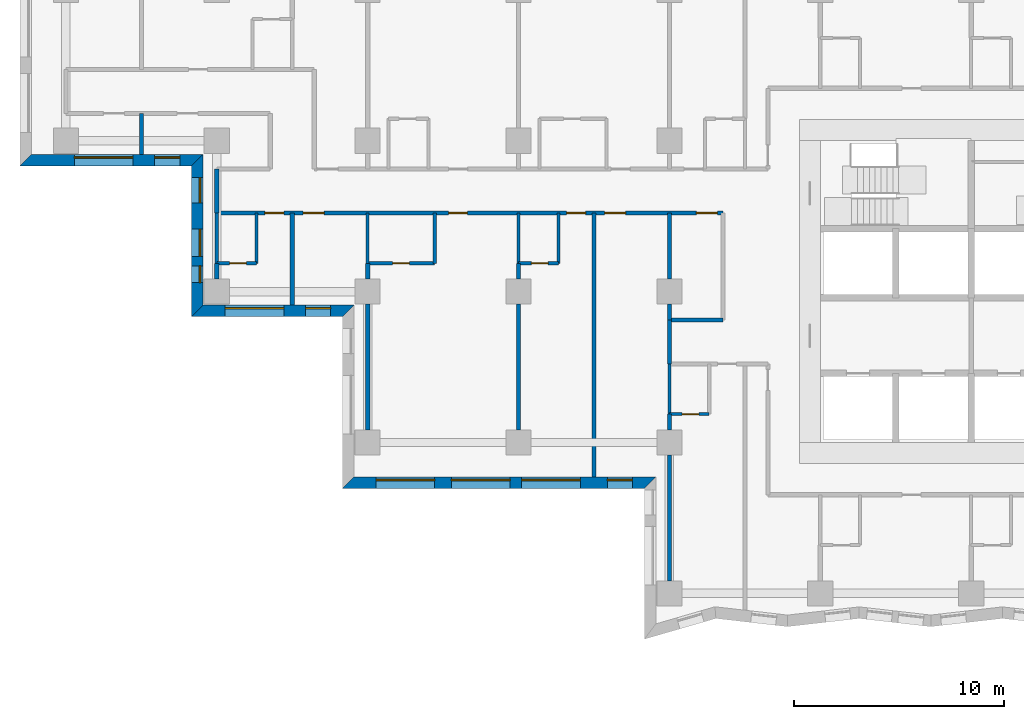
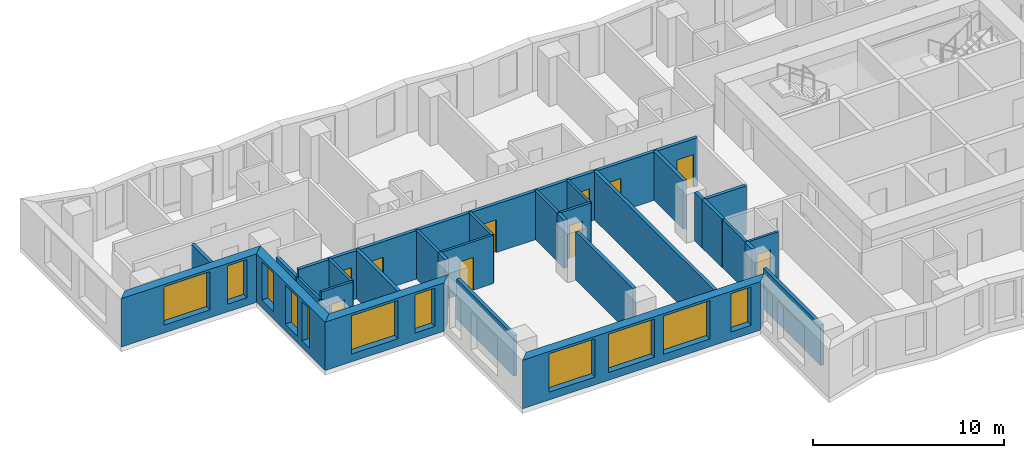
# One storey, part 3 of 12: 31 walls, 11 windows, 10 doors, 21 openings.
"""IFC4 building model written with IfcOpenShell, lengths in metres."""

from ifc_helpers import new_model, si_unit, direction, frame, frame_2d, origin, place, context, subcontext, project, spatial, polyline, rectangle, outline, extrude, material, layer, layer_set, type_object, element, fill, save


model = new_model("IFC4")

# Units and contexts
model_context = context("Model", 3, precision=1e-05, world=origin(), true_north=direction((0.0, 1.0)))
body_context = subcontext(model_context, "Body", "Model", "MODEL_VIEW")
ifc_project = project(units=[si_unit("LENGTHUNIT", "METRE"), si_unit("AREAUNIT", "SQUARE_METRE"), si_unit("VOLUMEUNIT", "CUBIC_METRE"), si_unit("PLANEANGLEUNIT", "RADIAN"), si_unit("MASSUNIT", "GRAM", prefix="KILO")], contexts=[model_context])

# Site, building, storey
site_placement = place(None, origin())
site = spatial("IfcSite", under=ifc_project, at=site_placement, CompositionType="ELEMENT")
building_placement = place(site_placement, origin())
building = spatial("IfcBuilding", under=site, at=building_placement, Name="Windrow Commons", CompositionType="ELEMENT")
storey_placement = place(building_placement, frame((0.0, 0.0, 37.2)))
storey = spatial("IfcBuildingStorey", under=building, at=storey_placement, Name="L09", CompositionType="ELEMENT", Elevation=37.2)

# Wall, openings, windows
ifc_material_1 = material(Name="Brick masonry, red clay brick", Category="masonry")
ifc_layer_1 = layer(ifc_material_1, 0.55)
ifc_layer_set_1 = layer_set([ifc_layer_1], Name="Brick facade wall 550")
wall_type_1 = type_object("IfcWallType", Name="Brick facade wall 550", PredefinedType="SOLIDWALL", material=ifc_layer_set_1)
wall_1_placement = place(storey_placement, frame((19.684, 63.875, 0.0), z_axis=(0.0, 0.0, 1.0), x_axis=(1.0, 0.0, 0.0)))
wall_1 = element("IfcWall", 1, at=wall_1_placement, inside=storey, type_object=wall_type_1, Name="Brick facade wall L09 40", PredefinedType="SOLIDWALL", context=body_context, shape_type="SweptSolid", body=[
    extrude(outline(polyline([(-0.275, -0.275), (7.916, -0.275), (8.466, 0.275), (0.275, 0.275), (-0.275, -0.275)])), origin(), (0.0, 0.0, 1.0), 3.1),
])
opening_1_placement = place(wall_1_placement, frame((2.316, 0.0, 0.5)))
opening_1 = element("IfcOpeningElement", 2, at=opening_1_placement, cuts=wall_1, Name="Opening W1T", PredefinedType="OPENING", context=body_context, shape_type="SweptSolid", body=[
    extrude(rectangle(XDim=2.8, YDim=2.45, at=frame_2d((1.4, 1.225))), frame((0.0, 0.285, 0.0), z_axis=(0.0, -1.0, 0.0), x_axis=(1.0, 0.0, 0.0)), (0.0, 0.0, 1.0), 0.57),
])
opening_2_placement = place(wall_1_placement, frame((6.1535, 0.0, 0.5)))
opening_2 = element("IfcOpeningElement", 3, at=opening_2_placement, cuts=wall_1, Name="Opening W7D", PredefinedType="OPENING", context=body_context, shape_type="SweptSolid", body=[
    extrude(rectangle(XDim=1.2, YDim=2.45, at=frame_2d((0.6, 1.225))), frame((0.0, 0.285, 0.0), z_axis=(0.0, -1.0, 0.0), x_axis=(1.0, 0.0, 0.0)), (0.0, 0.0, 1.0), 0.57),
])
ifc_material_2 = material(Name="Clear float glass in anodised aluminium frame", Category="aluminium")
window_type_1 = type_object("IfcWindowType", Name="Window W1T bedroom 2800x2450", PartitioningType="SINGLE_PANEL", PredefinedType="WINDOW", material=ifc_material_2)
window_1_placement = place(opening_1_placement, origin())
window_1 = element("IfcWindow", 4, at=window_1_placement, inside=storey, type_object=window_type_1, Name="Window L09 40.1", OverallHeight=2.45, OverallWidth=2.8, PartitioningType="SINGLE_PANEL", PredefinedType="WINDOW", context=body_context, shape_type="SweptSolid", body=[
    extrude(rectangle(XDim=2.8, YDim=2.45, at=frame_2d((1.4, 1.225))), frame((0.0, 0.155, 0.0), z_axis=(0.0, -1.0, 0.0), x_axis=(1.0, 0.0, 0.0)), (0.0, 0.0, 1.0), 0.06),
])
fill(opening_1, window_1)
ifc_material_3 = material(Name="Clear float glass in anodised aluminium frame", Category="aluminium")
window_type_2 = type_object("IfcWindowType", Name="Window W7 notch 1200x2450", PartitioningType="SINGLE_PANEL", PredefinedType="WINDOW", material=ifc_material_3)
window_2_placement = place(opening_2_placement, origin())
window_2 = element("IfcWindow", 5, at=window_2_placement, inside=storey, type_object=window_type_2, Name="Window L09 40.2", OverallHeight=2.45, OverallWidth=1.2, PartitioningType="SINGLE_PANEL", PredefinedType="WINDOW", context=body_context, shape_type="SweptSolid", body=[
    extrude(rectangle(XDim=1.2, YDim=2.45, at=frame_2d((0.6, 1.225))), frame((0.0, 0.155, 0.0), z_axis=(0.0, -1.0, 0.0), x_axis=(1.0, 0.0, 0.0)), (0.0, 0.0, 1.0), 0.06),
])
fill(opening_2, window_2)

wall_2_placement = place(storey_placement, frame((27.875, 63.875, 0.0), z_axis=(0.0, 0.0, 1.0), x_axis=(0.0, -1.0, 0.0)))
wall_2 = element("IfcWall", 6, at=wall_2_placement, inside=storey, type_object=wall_type_1, Name="Brick facade wall L09 41", PredefinedType="SOLIDWALL", context=body_context, shape_type="SweptSolid", body=[
    extrude(outline(polyline([(0.275, -0.275), (7.475, -0.275), (6.925, 0.275), (-0.275, 0.275), (0.275, -0.275)])), origin(), (0.0, 0.0, 1.0), 3.1),
])
opening_3_placement = place(wall_2_placement, frame((0.8375, 0.0, 0.5)))
opening_3 = element("IfcOpeningElement", 7, at=opening_3_placement, cuts=wall_2, Name="Opening W7D", PredefinedType="OPENING", context=body_context, shape_type="SweptSolid", body=[
    extrude(rectangle(XDim=1.2, YDim=2.45, at=frame_2d((0.6, 1.225))), frame((0.0, 0.285, 0.0), z_axis=(0.0, -1.0, 0.0), x_axis=(1.0, 0.0, 0.0)), (0.0, 0.0, 1.0), 0.57),
])
opening_4_placement = place(wall_2_placement, frame((3.3, 0.0, 0.45)))
opening_4 = element("IfcOpeningElement", 8, at=opening_4_placement, cuts=wall_2, Name="Opening W1Q", PredefinedType="OPENING", context=body_context, shape_type="SweptSolid", body=[
    extrude(rectangle(XDim=1.3, YDim=2.5, at=frame_2d((0.65, 1.25))), frame((0.0, 0.285, 0.0), z_axis=(0.0, -1.0, 0.0), x_axis=(1.0, 0.0, 0.0)), (0.0, 0.0, 1.0), 0.57),
])
opening_5_placement = place(wall_2_placement, frame((5.05, 0.0, 0.45)))
opening_5 = element("IfcOpeningElement", 9, at=opening_5_placement, cuts=wall_2, Name="Opening W1N", PredefinedType="OPENING", context=body_context, shape_type="SweptSolid", body=[
    extrude(rectangle(XDim=0.8, YDim=2.5, at=frame_2d((0.4, 1.25))), frame((0.0, 0.285, 0.0), z_axis=(0.0, -1.0, 0.0), x_axis=(1.0, 0.0, 0.0)), (0.0, 0.0, 1.0), 0.57),
])
ifc_material_4 = material(Name="Clear float glass in anodised aluminium frame", Category="aluminium")
window_type_3 = type_object("IfcWindowType", Name="Window W1N slit 800x2500", PartitioningType="SINGLE_PANEL", PredefinedType="WINDOW", material=ifc_material_4)
window_3_placement = place(opening_5_placement, origin())
window_3 = element("IfcWindow", 10, at=window_3_placement, inside=storey, type_object=window_type_3, Name="Window L09 41.1B", OverallHeight=2.5, OverallWidth=0.8, PartitioningType="SINGLE_PANEL", PredefinedType="WINDOW", context=body_context, shape_type="SweptSolid", body=[
    extrude(rectangle(XDim=0.8, YDim=2.5, at=frame_2d((0.4, 1.25))), frame((0.0, 0.155, 0.0), z_axis=(0.0, -1.0, 0.0), x_axis=(1.0, 0.0, 0.0)), (0.0, 0.0, 1.0), 0.06),
])
fill(opening_5, window_3)
ifc_material_5 = material(Name="Clear float glass in anodised aluminium frame", Category="aluminium")
window_type_4 = type_object("IfcWindowType", Name="Window W1Q pair 1300x2500", PartitioningType="SINGLE_PANEL", PredefinedType="WINDOW", material=ifc_material_5)
window_4_placement = place(opening_4_placement, origin())
window_4 = element("IfcWindow", 11, at=window_4_placement, inside=storey, type_object=window_type_4, Name="Window L09 41.1A", OverallHeight=2.5, OverallWidth=1.3, PartitioningType="SINGLE_PANEL", PredefinedType="WINDOW", context=body_context, shape_type="SweptSolid", body=[
    extrude(rectangle(XDim=1.3, YDim=2.5, at=frame_2d((0.65, 1.25))), frame((0.0, 0.155, 0.0), z_axis=(0.0, -1.0, 0.0), x_axis=(1.0, 0.0, 0.0)), (0.0, 0.0, 1.0), 0.06),
])
fill(opening_4, window_4)
window_5_placement = place(opening_3_placement, origin())
window_5 = element("IfcWindow", 12, at=window_5_placement, inside=storey, type_object=window_type_2, Name="Window L09 41.2", OverallHeight=2.45, OverallWidth=1.2, PartitioningType="SINGLE_PANEL", PredefinedType="WINDOW", context=body_context, shape_type="SweptSolid", body=[
    extrude(rectangle(XDim=1.2, YDim=2.45, at=frame_2d((0.6, 1.225))), frame((0.0, 0.155, 0.0), z_axis=(0.0, -1.0, 0.0), x_axis=(1.0, 0.0, 0.0)), (0.0, 0.0, 1.0), 0.06),
])
fill(opening_3, window_5)

wall_3_placement = place(storey_placement, frame((27.875, 56.675, 0.0), z_axis=(0.0, 0.0, 1.0), x_axis=(1.0, 0.0, 0.0)))
wall_3 = element("IfcWall", 13, at=wall_3_placement, inside=storey, type_object=wall_type_1, Name="Brick facade wall L09 42", PredefinedType="SOLIDWALL", context=body_context, shape_type="SweptSolid", body=[
    extrude(outline(polyline([(-0.275, -0.275), (6.925, -0.275), (7.475, 0.275), (0.275, 0.275), (-0.275, -0.275)])), origin(), (0.0, 0.0, 1.0), 3.1),
])
opening_6_placement = place(wall_3_placement, frame((1.325, 0.0, 0.5)))
opening_6 = element("IfcOpeningElement", 14, at=opening_6_placement, cuts=wall_3, Name="Opening W1T", PredefinedType="OPENING", context=body_context, shape_type="SweptSolid", body=[
    extrude(rectangle(XDim=2.8, YDim=2.45, at=frame_2d((1.4, 1.225))), frame((0.0, 0.285, 0.0), z_axis=(0.0, -1.0, 0.0), x_axis=(1.0, 0.0, 0.0)), (0.0, 0.0, 1.0), 0.57),
])
opening_7_placement = place(wall_3_placement, frame((5.1625, 0.0, 0.5)))
opening_7 = element("IfcOpeningElement", 15, at=opening_7_placement, cuts=wall_3, Name="Opening W7D", PredefinedType="OPENING", context=body_context, shape_type="SweptSolid", body=[
    extrude(rectangle(XDim=1.2, YDim=2.45, at=frame_2d((0.6, 1.225))), frame((0.0, 0.285, 0.0), z_axis=(0.0, -1.0, 0.0), x_axis=(1.0, 0.0, 0.0)), (0.0, 0.0, 1.0), 0.57),
])
window_6_placement = place(opening_6_placement, origin())
window_6 = element("IfcWindow", 16, at=window_6_placement, inside=storey, type_object=window_type_1, Name="Window L09 42.1", OverallHeight=2.45, OverallWidth=2.8, PartitioningType="SINGLE_PANEL", PredefinedType="WINDOW", context=body_context, shape_type="SweptSolid", body=[
    extrude(rectangle(XDim=2.8, YDim=2.45, at=frame_2d((1.4, 1.225))), frame((0.0, 0.155, 0.0), z_axis=(0.0, -1.0, 0.0), x_axis=(1.0, 0.0, 0.0)), (0.0, 0.0, 1.0), 0.06),
])
fill(opening_6, window_6)
window_7_placement = place(opening_7_placement, origin())
window_7 = element("IfcWindow", 17, at=window_7_placement, inside=storey, type_object=window_type_2, Name="Window L09 42.2", OverallHeight=2.45, OverallWidth=1.2, PartitioningType="SINGLE_PANEL", PredefinedType="WINDOW", context=body_context, shape_type="SweptSolid", body=[
    extrude(rectangle(XDim=1.2, YDim=2.45, at=frame_2d((0.6, 1.225))), frame((0.0, 0.155, 0.0), z_axis=(0.0, -1.0, 0.0), x_axis=(1.0, 0.0, 0.0)), (0.0, 0.0, 1.0), 0.06),
])
fill(opening_7, window_7)

wall_4_placement = place(storey_placement, frame((35.075, 48.484, 0.0), z_axis=(0.0, 0.0, 1.0), x_axis=(1.0, 0.0, 0.0)))
wall_4 = element("IfcWall", 18, at=wall_4_placement, inside=storey, type_object=wall_type_1, Name="Brick facade wall L09 44", PredefinedType="SOLIDWALL", context=body_context, shape_type="SweptSolid", body=[
    extrude(outline(polyline([(-0.275, -0.275), (14.125, -0.275), (14.675, 0.275), (0.275, 0.275), (-0.275, -0.275)])), origin(), (0.0, 0.0, 1.0), 3.1),
])
opening_8_placement = place(wall_4_placement, frame((1.325, 0.0, 0.5)))
opening_8 = element("IfcOpeningElement", 19, at=opening_8_placement, cuts=wall_4, Name="Opening W1T", PredefinedType="OPENING", context=body_context, shape_type="SweptSolid", body=[
    extrude(rectangle(XDim=2.8, YDim=2.45, at=frame_2d((1.4, 1.225))), frame((0.0, 0.285, 0.0), z_axis=(0.0, -1.0, 0.0), x_axis=(1.0, 0.0, 0.0)), (0.0, 0.0, 1.0), 0.57),
])
opening_9_placement = place(wall_4_placement, frame((4.925, 0.0, 0.5)))
opening_9 = element("IfcOpeningElement", 20, at=opening_9_placement, cuts=wall_4, Name="Opening W1T", PredefinedType="OPENING", context=body_context, shape_type="SweptSolid", body=[
    extrude(rectangle(XDim=2.8, YDim=2.45, at=frame_2d((1.4, 1.225))), frame((0.0, 0.285, 0.0), z_axis=(0.0, -1.0, 0.0), x_axis=(1.0, 0.0, 0.0)), (0.0, 0.0, 1.0), 0.57),
])
opening_10_placement = place(wall_4_placement, frame((8.275, 0.0, 0.5)))
opening_10 = element("IfcOpeningElement", 21, at=opening_10_placement, cuts=wall_4, Name="Opening W1T", PredefinedType="OPENING", context=body_context, shape_type="SweptSolid", body=[
    extrude(rectangle(XDim=2.8, YDim=2.45, at=frame_2d((1.4, 1.225))), frame((0.0, 0.285, 0.0), z_axis=(0.0, -1.0, 0.0), x_axis=(1.0, 0.0, 0.0)), (0.0, 0.0, 1.0), 0.57),
])
opening_11_placement = place(wall_4_placement, frame((12.3625, 0.0, 0.5)))
opening_11 = element("IfcOpeningElement", 22, at=opening_11_placement, cuts=wall_4, Name="Opening W7D", PredefinedType="OPENING", context=body_context, shape_type="SweptSolid", body=[
    extrude(rectangle(XDim=1.2, YDim=2.45, at=frame_2d((0.6, 1.225))), frame((0.0, 0.285, 0.0), z_axis=(0.0, -1.0, 0.0), x_axis=(1.0, 0.0, 0.0)), (0.0, 0.0, 1.0), 0.57),
])
window_8_placement = place(opening_8_placement, origin())
window_8 = element("IfcWindow", 23, at=window_8_placement, inside=storey, type_object=window_type_1, Name="Window L09 44.1", OverallHeight=2.45, OverallWidth=2.8, PartitioningType="SINGLE_PANEL", PredefinedType="WINDOW", context=body_context, shape_type="SweptSolid", body=[
    extrude(rectangle(XDim=2.8, YDim=2.45, at=frame_2d((1.4, 1.225))), frame((0.0, 0.155, 0.0), z_axis=(0.0, -1.0, 0.0), x_axis=(1.0, 0.0, 0.0)), (0.0, 0.0, 1.0), 0.06),
])
fill(opening_8, window_8)
window_9_placement = place(opening_9_placement, origin())
window_9 = element("IfcWindow", 24, at=window_9_placement, inside=storey, type_object=window_type_1, Name="Window L09 44.2", OverallHeight=2.45, OverallWidth=2.8, PartitioningType="SINGLE_PANEL", PredefinedType="WINDOW", context=body_context, shape_type="SweptSolid", body=[
    extrude(rectangle(XDim=2.8, YDim=2.45, at=frame_2d((1.4, 1.225))), frame((0.0, 0.155, 0.0), z_axis=(0.0, -1.0, 0.0), x_axis=(1.0, 0.0, 0.0)), (0.0, 0.0, 1.0), 0.06),
])
fill(opening_9, window_9)
window_10_placement = place(opening_10_placement, origin())
window_10 = element("IfcWindow", 25, at=window_10_placement, inside=storey, type_object=window_type_1, Name="Window L09 44.3", OverallHeight=2.45, OverallWidth=2.8, PartitioningType="SINGLE_PANEL", PredefinedType="WINDOW", context=body_context, shape_type="SweptSolid", body=[
    extrude(rectangle(XDim=2.8, YDim=2.45, at=frame_2d((1.4, 1.225))), frame((0.0, 0.155, 0.0), z_axis=(0.0, -1.0, 0.0), x_axis=(1.0, 0.0, 0.0)), (0.0, 0.0, 1.0), 0.06),
])
fill(opening_10, window_10)
window_11_placement = place(opening_11_placement, origin())
window_11 = element("IfcWindow", 26, at=window_11_placement, inside=storey, type_object=window_type_2, Name="Window L09 44.4", OverallHeight=2.45, OverallWidth=1.2, PartitioningType="SINGLE_PANEL", PredefinedType="WINDOW", context=body_context, shape_type="SweptSolid", body=[
    extrude(rectangle(XDim=1.2, YDim=2.45, at=frame_2d((0.6, 1.225))), frame((0.0, 0.155, 0.0), z_axis=(0.0, -1.0, 0.0), x_axis=(1.0, 0.0, 0.0)), (0.0, 0.0, 1.0), 0.06),
])
fill(opening_11, window_11)

# Wall, openings, doors
ifc_material_6 = material(Name="Blockwork partition", Category="masonry")
ifc_layer_2 = layer(ifc_material_6, 0.2)
ifc_layer_set_2 = layer_set([ifc_layer_2], Name="IW-CORRIDOR-200")
wall_type_2 = type_object("IfcWallType", Name="IW-CORRIDOR-200", PredefinedType="PARTITIONING", material=ifc_layer_set_2)
wall_5_placement = place(storey_placement, frame((28.8, 61.35, 0.0), z_axis=(0.0, 0.0, 1.0), x_axis=(1.0, 0.0, 0.0)))
wall_5 = element("IfcWall", 27, at=wall_5_placement, inside=storey, type_object=wall_type_2, Name="W-L09-W000", PredefinedType="PARTITIONING", context=body_context, shape_type="SweptSolid", body=[
    extrude(rectangle(XDim=24.15, YDim=0.2, at=frame_2d((12.075, 0.0))), origin(), (0.0, 0.0, 1.0), 3.1),
])
opening_12_placement = place(wall_5_placement, frame((2.3, 0.0, 0.0)))
opening_12 = element("IfcOpeningElement", 28, at=opening_12_placement, cuts=wall_5, Name="Opening D109S", PredefinedType="OPENING", context=body_context, shape_type="SweptSolid", body=[
    extrude(rectangle(XDim=0.9, YDim=2.1, at=frame_2d((0.45, 1.05))), frame((0.0, 0.11, 0.0), z_axis=(0.0, -1.0, 0.0), x_axis=(1.0, 0.0, 0.0)), (0.0, 0.0, 1.0), 0.22),
])
opening_13_placement = place(wall_5_placement, frame((4.125, 0.0, 0.0)))
opening_13 = element("IfcOpeningElement", 29, at=opening_13_placement, cuts=wall_5, Name="Opening D310F", PredefinedType="OPENING", context=body_context, shape_type="SweptSolid", body=[
    extrude(rectangle(XDim=1.0, YDim=2.1, at=frame_2d((0.5, 1.05))), frame((0.0, 0.11, 0.0), z_axis=(0.0, -1.0, 0.0), x_axis=(1.0, 0.0, 0.0)), (0.0, 0.0, 1.0), 0.22),
])
opening_14_placement = place(wall_5_placement, frame((11.0607, 0.0, 0.0)))
opening_14 = element("IfcOpeningElement", 30, at=opening_14_placement, cuts=wall_5, Name="Opening D109F", PredefinedType="OPENING", context=body_context, shape_type="SweptSolid", body=[
    extrude(rectangle(XDim=0.9, YDim=2.1, at=frame_2d((0.45, 1.05))), frame((0.0, 0.11, 0.0), z_axis=(0.0, -1.0, 0.0), x_axis=(1.0, 0.0, 0.0)), (0.0, 0.0, 1.0), 0.22),
])
opening_15_placement = place(wall_5_placement, frame((16.7, 0.0, 0.0)))
opening_15 = element("IfcOpeningElement", 31, at=opening_15_placement, cuts=wall_5, Name="Opening D109S", PredefinedType="OPENING", context=body_context, shape_type="SweptSolid", body=[
    extrude(rectangle(XDim=0.9, YDim=2.1, at=frame_2d((0.45, 1.05))), frame((0.0, 0.11, 0.0), z_axis=(0.0, -1.0, 0.0), x_axis=(1.0, 0.0, 0.0)), (0.0, 0.0, 1.0), 0.22),
])
opening_16_placement = place(wall_5_placement, frame((18.5075, 0.0, 0.0)))
opening_16 = element("IfcOpeningElement", 32, at=opening_16_placement, cuts=wall_5, Name="Opening D310F", PredefinedType="OPENING", context=body_context, shape_type="SweptSolid", body=[
    extrude(rectangle(XDim=1.0, YDim=2.1, at=frame_2d((0.5, 1.05))), frame((0.0, 0.11, 0.0), z_axis=(0.0, -1.0, 0.0), x_axis=(1.0, 0.0, 0.0)), (0.0, 0.0, 1.0), 0.22),
])
opening_17_placement = place(wall_5_placement, frame((22.8824, 0.0, 0.0)))
opening_17 = element("IfcOpeningElement", 33, at=opening_17_placement, cuts=wall_5, Name="Opening D310F", PredefinedType="OPENING", context=body_context, shape_type="SweptSolid", body=[
    extrude(rectangle(XDim=1.0, YDim=2.1, at=frame_2d((0.5, 1.05))), frame((0.0, 0.11, 0.0), z_axis=(0.0, -1.0, 0.0), x_axis=(1.0, 0.0, 0.0)), (0.0, 0.0, 1.0), 0.22),
])
ifc_material_7 = material(Name="Timber door leaf", Category="wood")
door_type_1 = type_object("IfcDoorType", Name="DT-AMENITY-1000", OperationType="SINGLE_SWING_LEFT", PredefinedType="DOOR", material=ifc_material_7)
door_1_placement = place(opening_13_placement, origin())
door_1 = element("IfcDoor", 34, at=door_1_placement, inside=storey, type_object=door_type_1, Name="D-L09-D007", OperationType="SINGLE_SWING_RIGHT", OverallHeight=2.1, OverallWidth=1.0, PredefinedType="DOOR", context=body_context, shape_type="SweptSolid", body=[
    extrude(rectangle(XDim=1.0, YDim=2.1, at=frame_2d((0.5, 1.05))), frame((0.0, 0.025, 0.0), z_axis=(0.0, -1.0, 0.0), x_axis=(1.0, 0.0, 0.0)), (0.0, 0.0, 1.0), 0.05),
])
fill(opening_13, door_1)
door_2_placement = place(opening_16_placement, origin())
door_2 = element("IfcDoor", 35, at=door_2_placement, inside=storey, type_object=door_type_1, Name="D-L09-D023", OperationType="SINGLE_SWING_RIGHT", OverallHeight=2.1, OverallWidth=1.0, PredefinedType="DOOR", context=body_context, shape_type="SweptSolid", body=[
    extrude(rectangle(XDim=1.0, YDim=2.1, at=frame_2d((0.5, 1.05))), frame((0.0, 0.025, 0.0), z_axis=(0.0, -1.0, 0.0), x_axis=(1.0, 0.0, 0.0)), (0.0, 0.0, 1.0), 0.05),
])
fill(opening_16, door_2)
door_3_placement = place(opening_17_placement, origin())
door_3 = element("IfcDoor", 36, at=door_3_placement, inside=storey, type_object=door_type_1, Name="D-L09-D024", OperationType="SINGLE_SWING_LEFT", OverallHeight=2.1, OverallWidth=1.0, PredefinedType="DOOR", context=body_context, shape_type="SweptSolid", body=[
    extrude(rectangle(XDim=1.0, YDim=2.1, at=frame_2d((0.5, 1.05))), frame((0.0, 0.025, 0.0), z_axis=(0.0, -1.0, 0.0), x_axis=(1.0, 0.0, 0.0)), (0.0, 0.0, 1.0), 0.05),
])
fill(opening_17, door_3)
ifc_material_8 = material(Name="Timber door leaf", Category="wood")
door_type_2 = type_object("IfcDoorType", Name="DT-BEDROOM-900", OperationType="SINGLE_SWING_LEFT", PredefinedType="DOOR", material=ifc_material_8)
door_4_placement = place(opening_12_placement, origin())
door_4 = element("IfcDoor", 37, at=door_4_placement, inside=storey, type_object=door_type_2, Name="D-L09-D005", OperationType="SINGLE_SWING_LEFT", OverallHeight=2.1, OverallWidth=0.9, PredefinedType="DOOR", context=body_context, shape_type="SweptSolid", body=[
    extrude(rectangle(XDim=0.9, YDim=2.1, at=frame_2d((0.45, 1.05))), frame((0.0, 0.025, 0.0), z_axis=(0.0, -1.0, 0.0), x_axis=(1.0, 0.0, 0.0)), (0.0, 0.0, 1.0), 0.05),
])
fill(opening_12, door_4)
door_5_placement = place(opening_14_placement, origin())
door_5 = element("IfcDoor", 38, at=door_5_placement, inside=storey, type_object=door_type_2, Name="D-L09-D008", OperationType="SINGLE_SWING_LEFT", OverallHeight=2.1, OverallWidth=0.9, PredefinedType="DOOR", context=body_context, shape_type="SweptSolid", body=[
    extrude(rectangle(XDim=0.9, YDim=2.1, at=frame_2d((0.45, 1.05))), frame((0.0, 0.025, 0.0), z_axis=(0.0, -1.0, 0.0), x_axis=(1.0, 0.0, 0.0)), (0.0, 0.0, 1.0), 0.05),
])
fill(opening_14, door_5)
door_6_placement = place(opening_15_placement, origin())
door_6 = element("IfcDoor", 39, at=door_6_placement, inside=storey, type_object=door_type_2, Name="D-L09-D010", OperationType="SINGLE_SWING_LEFT", OverallHeight=2.1, OverallWidth=0.9, PredefinedType="DOOR", context=body_context, shape_type="SweptSolid", body=[
    extrude(rectangle(XDim=0.9, YDim=2.1, at=frame_2d((0.45, 1.05))), frame((0.0, 0.025, 0.0), z_axis=(0.0, -1.0, 0.0), x_axis=(1.0, 0.0, 0.0)), (0.0, 0.0, 1.0), 0.05),
])
fill(opening_15, door_6)

# Walls
wall_6_placement = place(storey_placement, frame((50.4, 56.25, 0.0), z_axis=(0.0, 0.0, 1.0), x_axis=(1.0, 0.0, 0.0)))
element("IfcWall", 40, at=wall_6_placement, inside=storey, type_object=wall_type_2, Name="W-L09-W066", PredefinedType="PARTITIONING", context=body_context, shape_type="SweptSolid", body=[
    extrude(rectangle(XDim=2.55, YDim=0.2, at=frame_2d((1.275, 0.0))), origin(), (0.0, 0.0, 1.0), 3.1),
])
wall_7_placement = place(storey_placement, frame((28.8, 61.35, 0.0), z_axis=(0.0, 0.0, 1.0), x_axis=(0.0, 1.0, 0.0)))
element("IfcWall", 41, at=wall_7_placement, inside=storey, type_object=wall_type_2, Name="W-L09-W116", PredefinedType="PARTITIONING", context=body_context, shape_type="SweptSolid", body=[
    extrude(rectangle(XDim=2.1, YDim=0.2, at=frame_2d((1.05, 0.0))), origin(), (0.0, 0.0, 1.0), 2.6),
])
wall_8_placement = place(storey_placement, frame((50.4, 54.15, 0.0), z_axis=(0.0, 0.0, 1.0), x_axis=(0.0, 1.0, 0.0)))
element("IfcWall", 42, at=wall_8_placement, inside=storey, type_object=wall_type_2, Name="W-L09-W117", PredefinedType="PARTITIONING", context=body_context, shape_type="SweptSolid", body=[
    extrude(rectangle(XDim=2.1, YDim=0.2, at=frame_2d((1.05, 0.0))), origin(), (0.0, 0.0, 1.0), 3.1),
])

# Wall, opening, door
ifc_material_9 = material(Name="Blockwork partition", Category="masonry")
ifc_layer_3 = layer(ifc_material_9, 0.15)
ifc_layer_set_3 = layer_set([ifc_layer_3], Name="IW-ENSUITE-150")
wall_type_3 = type_object("IfcWallType", Name="IW-ENSUITE-150", PredefinedType="PARTITIONING", material=ifc_layer_set_3)
wall_9_placement = place(storey_placement, frame((36.0, 58.95, 0.0), z_axis=(0.0, 0.0, 1.0), x_axis=(1.0, 0.0, 0.0)))
wall_9 = element("IfcWall", 43, at=wall_9_placement, inside=storey, type_object=wall_type_3, Name="W-L09-W060", PredefinedType="PARTITIONING", context=body_context, shape_type="SweptSolid", body=[
    extrude(rectangle(XDim=3.2, YDim=0.15, at=frame_2d((1.6, 0.0))), origin(), (0.0, 0.0, 1.0), 3.1),
])
opening_18_placement = place(wall_9_placement, frame((1.1958, 0.0, 0.0)))
opening_18 = element("IfcOpeningElement", 44, at=opening_18_placement, cuts=wall_9, Name="Opening D208N", PredefinedType="OPENING", context=body_context, shape_type="SweptSolid", body=[
    extrude(rectangle(XDim=0.8, YDim=2.1, at=frame_2d((0.4, 1.05))), frame((0.0, 0.085, 0.0), z_axis=(0.0, -1.0, 0.0), x_axis=(1.0, 0.0, 0.0)), (0.0, 0.0, 1.0), 0.17),
])
ifc_material_10 = material(Name="Timber door leaf", Category="wood")
door_type_3 = type_object("IfcDoorType", Name="DT-ENSUITE-800", OperationType="SINGLE_SWING_LEFT", PredefinedType="DOOR", material=ifc_material_10)
door_7_placement = place(opening_18_placement, origin())
door_7 = element("IfcDoor", 45, at=door_7_placement, inside=storey, type_object=door_type_3, Name="D-L09-D009", OperationType="SINGLE_SWING_RIGHT", OverallHeight=2.1, OverallWidth=0.8, PredefinedType="DOOR", context=body_context, shape_type="SweptSolid", body=[
    extrude(rectangle(XDim=0.8, YDim=2.1, at=frame_2d((0.4, 1.05))), frame((0.0, 0.025, 0.0), z_axis=(0.0, -1.0, 0.0), x_axis=(1.0, 0.0, 0.0)), (0.0, 0.0, 1.0), 0.05),
])
fill(opening_18, door_7)

# Walls
wall_10_placement = place(storey_placement, frame((30.7, 58.95, 0.0), z_axis=(0.0, 0.0, 1.0), x_axis=(0.0, 1.0, 0.0)))
element("IfcWall", 46, at=wall_10_placement, inside=storey, type_object=wall_type_3, Name="W-L09-W080", PredefinedType="PARTITIONING", context=body_context, shape_type="SweptSolid", body=[
    extrude(rectangle(XDim=2.4, YDim=0.15, at=frame_2d((1.2, 0.0))), origin(), (0.0, 0.0, 1.0), 3.1),
])
wall_11_placement = place(storey_placement, frame((28.8, 58.95, 0.0), z_axis=(0.0, 0.0, 1.0), x_axis=(0.0, 1.0, 0.0)))
element("IfcWall", 47, at=wall_11_placement, inside=storey, type_object=wall_type_3, Name="W-L09-W081", PredefinedType="PARTITIONING", context=body_context, shape_type="SweptSolid", body=[
    extrude(rectangle(XDim=2.4, YDim=0.15, at=frame_2d((1.2, 0.0))), origin(), (0.0, 0.0, 1.0), 2.6),
])
for number, where, z_axis, x_axis, name in (
    (48, (39.2, 58.95, 0.0), (0.0, 0.0, 1.0), (0.0, 1.0, 0.0), "W-L09-W082"),
    (49, (36.0, 58.95, 0.0), (0.0, 0.0, 1.0), (0.0, 1.0, 0.0), "W-L09-W083"),
    (50, (45.1, 58.95, 0.0), (0.0, 0.0, 1.0), (0.0, 1.0, 0.0), "W-L09-W084"),
    (51, (43.2, 58.95, 0.0), (0.0, 0.0, 1.0), (0.0, 1.0, 0.0), "W-L09-W085"),
    (52, (50.4, 51.75, 0.0), (0.0, 0.0, 1.0), (0.0, 1.0, 0.0), "W-L09-W087"),
):
    element("IfcWall", number, at=place(storey_placement, frame(where, z_axis=z_axis, x_axis=x_axis)), inside=storey, type_object=wall_type_3, Name=name, PredefinedType="PARTITIONING", context=body_context, shape_type="SweptSolid", body=[
        extrude(rectangle(XDim=2.4, YDim=0.15, at=frame_2d((1.2, 0.0))), origin(), (0.0, 0.0, 1.0), 3.1),
    ])

# Wall, opening, door
wall_12_placement = place(storey_placement, frame((28.8, 58.95, 0.0), z_axis=(0.0, 0.0, 1.0), x_axis=(1.0, 0.0, 0.0)))
wall_12 = element("IfcWall", 53, at=wall_12_placement, inside=storey, type_object=wall_type_3, Name="W-L09-W129", PredefinedType="PARTITIONING", context=body_context, shape_type="SweptSolid", body=[
    extrude(rectangle(XDim=1.9, YDim=0.15, at=frame_2d((0.95, 0.0))), origin(), (0.0, 0.0, 1.0), 3.1),
])
opening_19_placement = place(wall_12_placement, frame((0.6069, 0.0, 0.0)))
opening_19 = element("IfcOpeningElement", 54, at=opening_19_placement, cuts=wall_12, Name="Opening D208N", PredefinedType="OPENING", context=body_context, shape_type="SweptSolid", body=[
    extrude(rectangle(XDim=0.8, YDim=2.1, at=frame_2d((0.4, 1.05))), frame((0.0, 0.085, 0.0), z_axis=(0.0, -1.0, 0.0), x_axis=(1.0, 0.0, 0.0)), (0.0, 0.0, 1.0), 0.17),
])
door_8_placement = place(opening_19_placement, origin())
door_8 = element("IfcDoor", 55, at=door_8_placement, inside=storey, type_object=door_type_3, Name="D-L09-D006", OperationType="SINGLE_SWING_RIGHT", OverallHeight=2.1, OverallWidth=0.8, PredefinedType="DOOR", context=body_context, shape_type="SweptSolid", body=[
    extrude(rectangle(XDim=0.8, YDim=2.1, at=frame_2d((0.4, 1.05))), frame((0.0, 0.025, 0.0), z_axis=(0.0, -1.0, 0.0), x_axis=(1.0, 0.0, 0.0)), (0.0, 0.0, 1.0), 0.05),
])
fill(opening_19, door_8)

wall_13_placement = place(storey_placement, frame((43.2, 58.95, 0.0), z_axis=(0.0, 0.0, 1.0), x_axis=(1.0, 0.0, 0.0)))
wall_13 = element("IfcWall", 56, at=wall_13_placement, inside=storey, type_object=wall_type_3, Name="W-L09-W130", PredefinedType="PARTITIONING", context=body_context, shape_type="SweptSolid", body=[
    extrude(rectangle(XDim=1.9, YDim=0.15, at=frame_2d((0.95, 0.0))), origin(), (0.0, 0.0, 1.0), 3.1),
])
opening_20_placement = place(wall_13_placement, frame((0.6069, 0.0, 0.0)))
opening_20 = element("IfcOpeningElement", 57, at=opening_20_placement, cuts=wall_13, Name="Opening D208N", PredefinedType="OPENING", context=body_context, shape_type="SweptSolid", body=[
    extrude(rectangle(XDim=0.8, YDim=2.1, at=frame_2d((0.4, 1.05))), frame((0.0, 0.085, 0.0), z_axis=(0.0, -1.0, 0.0), x_axis=(1.0, 0.0, 0.0)), (0.0, 0.0, 1.0), 0.17),
])
door_9_placement = place(opening_20_placement, origin())
door_9 = element("IfcDoor", 58, at=door_9_placement, inside=storey, type_object=door_type_3, Name="D-L09-D011", OperationType="SINGLE_SWING_RIGHT", OverallHeight=2.1, OverallWidth=0.8, PredefinedType="DOOR", context=body_context, shape_type="SweptSolid", body=[
    extrude(rectangle(XDim=0.8, YDim=2.1, at=frame_2d((0.4, 1.05))), frame((0.0, 0.025, 0.0), z_axis=(0.0, -1.0, 0.0), x_axis=(1.0, 0.0, 0.0)), (0.0, 0.0, 1.0), 0.05),
])
fill(opening_20, door_9)

wall_14_placement = place(storey_placement, frame((50.4, 51.75, 0.0), z_axis=(0.0, 0.0, 1.0), x_axis=(1.0, 0.0, 0.0)))
wall_14 = element("IfcWall", 59, at=wall_14_placement, inside=storey, type_object=wall_type_3, Name="W-L09-W134", PredefinedType="PARTITIONING", context=body_context, shape_type="SweptSolid", body=[
    extrude(rectangle(XDim=1.9, YDim=0.15, at=frame_2d((0.95, 0.0))), origin(), (0.0, 0.0, 1.0), 3.1),
])
opening_21_placement = place(wall_14_placement, frame((0.6069, 0.0, 0.0)))
opening_21 = element("IfcOpeningElement", 60, at=opening_21_placement, cuts=wall_14, Name="Opening D208N", PredefinedType="OPENING", context=body_context, shape_type="SweptSolid", body=[
    extrude(rectangle(XDim=0.8, YDim=2.1, at=frame_2d((0.4, 1.05))), frame((0.0, 0.085, 0.0), z_axis=(0.0, -1.0, 0.0), x_axis=(1.0, 0.0, 0.0)), (0.0, 0.0, 1.0), 0.17),
])
door_10_placement = place(opening_21_placement, origin())
door_10 = element("IfcDoor", 61, at=door_10_placement, inside=storey, type_object=door_type_3, Name="D-L09-D026", OperationType="SINGLE_SWING_RIGHT", OverallHeight=2.1, OverallWidth=0.8, PredefinedType="DOOR", context=body_context, shape_type="SweptSolid", body=[
    extrude(rectangle(XDim=0.8, YDim=2.1, at=frame_2d((0.4, 1.05))), frame((0.0, 0.025, 0.0), z_axis=(0.0, -1.0, 0.0), x_axis=(1.0, 0.0, 0.0)), (0.0, 0.0, 1.0), 0.05),
])
fill(opening_21, door_10)

# Walls
ifc_material_11 = material(Name="Blockwork partition", Category="masonry")
ifc_layer_4 = layer(ifc_material_11, 0.2)
ifc_layer_set_4 = layer_set([ifc_layer_4], Name="IW-PARTY-200")
wall_type_4 = type_object("IfcWallType", Name="IW-PARTY-200", PredefinedType="PARTITIONING", material=ifc_layer_set_4)
wall_15_placement = place(storey_placement, frame((46.8, 48.759, 0.0), z_axis=(0.0, 0.0, 1.0), x_axis=(0.0, 1.0, 0.0)))
element("IfcWall", 62, at=wall_15_placement, inside=storey, type_object=wall_type_4, Name="W-L09-W004", PredefinedType="PARTITIONING", context=body_context, shape_type="SweptSolid", body=[
    extrude(rectangle(XDim=12.591, YDim=0.2, at=frame_2d((6.2955, 0.0))), origin(), (0.0, 0.0, 1.0), 3.1),
])
wall_16_placement = place(storey_placement, frame((36.0, 51.0, 0.0), z_axis=(0.0, 0.0, 1.0), x_axis=(0.0, 1.0, 0.0)))
element("IfcWall", 63, at=wall_16_placement, inside=storey, type_object=wall_type_4, Name="W-L09-W024", PredefinedType="PARTITIONING", context=body_context, shape_type="SweptSolid", body=[
    extrude(rectangle(XDim=6.0, YDim=0.2, at=frame_2d((3.0, 0.0))), origin(), (0.0, 0.0, 1.0), 2.6),
])
wall_17_placement = place(storey_placement, frame((43.2, 51.0, 0.0), z_axis=(0.0, 0.0, 1.0), x_axis=(0.0, 1.0, 0.0)))
element("IfcWall", 64, at=wall_17_placement, inside=storey, type_object=wall_type_4, Name="W-L09-W026", PredefinedType="PARTITIONING", context=body_context, shape_type="SweptSolid", body=[
    extrude(rectangle(XDim=6.0, YDim=0.2, at=frame_2d((3.0, 0.0))), origin(), (0.0, 0.0, 1.0), 3.1),
])
wall_18_placement = place(storey_placement, frame((50.4, 43.8, 0.0), z_axis=(0.0, 0.0, 1.0), x_axis=(0.0, 1.0, 0.0)))
element("IfcWall", 65, at=wall_18_placement, inside=storey, type_object=wall_type_4, Name="W-L09-W028", PredefinedType="PARTITIONING", context=body_context, shape_type="SweptSolid", body=[
    extrude(rectangle(XDim=6.0, YDim=0.2, at=frame_2d((3.0, 0.0))), origin(), (0.0, 0.0, 1.0), 2.6),
])
wall_19_placement = place(storey_placement, frame((32.4, 56.95, 0.0), z_axis=(0.0, 0.0, 1.0), x_axis=(0.0, 1.0, 0.0)))
element("IfcWall", 66, at=wall_19_placement, inside=storey, type_object=wall_type_4, Name="W-L09-W046", PredefinedType="PARTITIONING", context=body_context, shape_type="SweptSolid", body=[
    extrude(rectangle(XDim=4.4, YDim=0.2, at=frame_2d((2.2, 0.0))), origin(), (0.0, 0.0, 1.0), 3.1),
])
wall_20_placement = place(storey_placement, frame((50.4, 58.2, 0.0), z_axis=(0.0, 0.0, 1.0), x_axis=(0.0, 1.0, 0.0)))
element("IfcWall", 67, at=wall_20_placement, inside=storey, type_object=wall_type_4, Name="W-L09-W062", PredefinedType="PARTITIONING", context=body_context, shape_type="SweptSolid", body=[
    extrude(rectangle(XDim=3.15, YDim=0.2, at=frame_2d((1.575, 0.0))), origin(), (0.0, 0.0, 1.0), 3.1),
])
wall_21_placement = place(storey_placement, frame((25.2, 64.15, 0.0), z_axis=(0.0, 0.0, 1.0), x_axis=(0.0, 1.0, 0.0)))
element("IfcWall", 68, at=wall_21_placement, inside=storey, type_object=wall_type_4, Name="W-L09-W137", PredefinedType="PARTITIONING", context=body_context, shape_type="SweptSolid", body=[
    extrude(rectangle(XDim=1.95, YDim=0.2, at=frame_2d((0.975, 0.0))), origin(), (0.0, 0.0, 1.0), 3.1),
])
wall_22_placement = place(storey_placement, frame((28.8, 58.2, 0.0), z_axis=(0.0, 0.0, 1.0), x_axis=(0.0, 1.0, 0.0)))
element("IfcWall", 69, at=wall_22_placement, inside=storey, type_object=wall_type_4, Name="W-L09-W156", PredefinedType="PARTITIONING", context=body_context, shape_type="SweptSolid", body=[
    extrude(rectangle(XDim=0.75, YDim=0.2, at=frame_2d((0.375, 0.0))), origin(), (0.0, 0.0, 1.0), 2.6),
])
for number, where, z_axis, x_axis, name in (
    (70, (36.0, 58.2, 0.0), (0.0, 0.0, 1.0), (0.0, 1.0, 0.0), "W-L09-W157"),
    (71, (43.2, 58.2, 0.0), (0.0, 0.0, 1.0), (0.0, 1.0, 0.0), "W-L09-W159"),
    (72, (50.4, 51.0, 0.0), (0.0, 0.0, 1.0), (0.0, 1.0, 0.0), "W-L09-W161"),
    (73, (50.4, 56.25, 0.0), (0.0, 0.0, 1.0), (0.0, 1.0, 0.0), "W-L09-W162"),
):
    element("IfcWall", number, at=place(storey_placement, frame(where, z_axis=z_axis, x_axis=x_axis)), inside=storey, type_object=wall_type_4, Name=name, PredefinedType="PARTITIONING", context=body_context, shape_type="SweptSolid", body=[
        extrude(rectangle(XDim=0.75, YDim=0.2, at=frame_2d((0.375, 0.0))), origin(), (0.0, 0.0, 1.0), 3.1),
    ])

save(model, "model.ifc")
